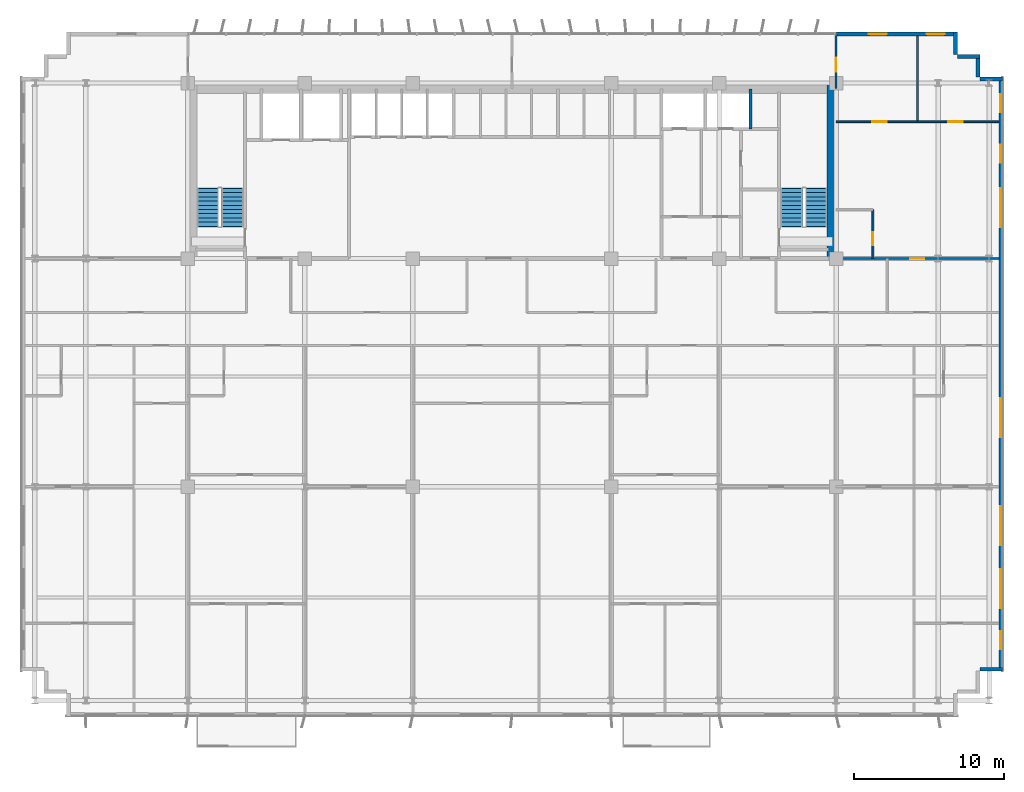
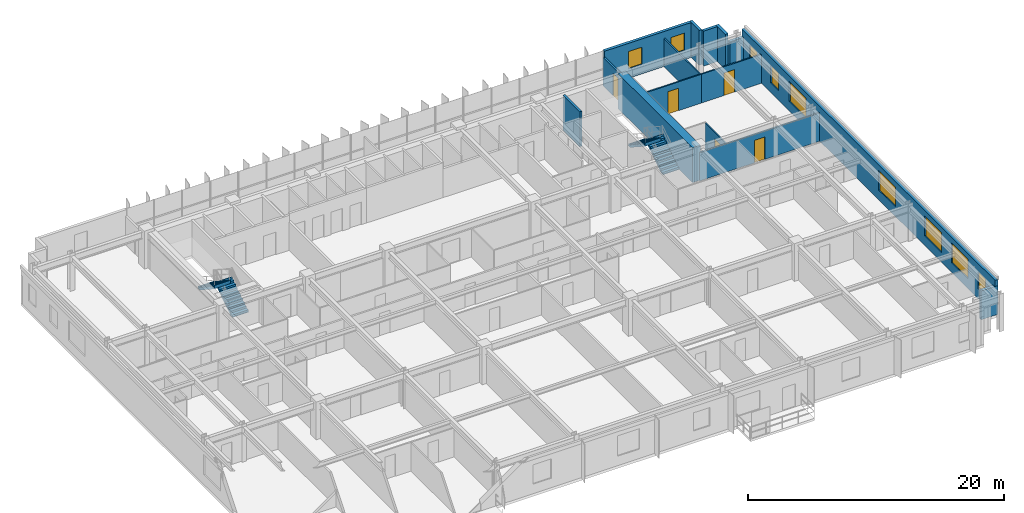
# One storey, part 19 of 22: 15 walls, 9 windows, 5 doors, 4 stair flights, 14 openings, 2 elements without a shape of their own.
"""IFC4 building model written with IfcOpenShell, lengths in metres."""

from ifc_helpers import new_model, si_unit, direction, frame, frame_2d, origin, place, context, subcontext, project, spatial, polyline, rectangle, outline, extrude, source, transform, mapped, material, layer, layer_set, type_object, element, fill, aggregate, save


model = new_model("IFC4")

# Units and contexts
model_context = context("Model", 3, precision=1e-05, world=origin(), true_north=direction((0.0, 1.0)))
body_context = subcontext(model_context, "Body", "Model", "MODEL_VIEW")
ifc_project = project(units=[si_unit("LENGTHUNIT", "METRE"), si_unit("AREAUNIT", "SQUARE_METRE"), si_unit("VOLUMEUNIT", "CUBIC_METRE"), si_unit("PLANEANGLEUNIT", "RADIAN"), si_unit("MASSUNIT", "GRAM", prefix="KILO")], contexts=[model_context])

# Site, building, storey
site_placement = place(None, origin())
site = spatial("IfcSite", under=ifc_project, at=site_placement, CompositionType="ELEMENT")
building_placement = place(site_placement, origin())
building = spatial("IfcBuilding", under=site, at=building_placement, Name="Trelvane Seafront Commons", CompositionType="ELEMENT")
storey_placement = place(building_placement, frame((0.0, 0.0, 48.699951171875)))
storey = spatial("IfcBuildingStorey", under=building, at=storey_placement, Name="L12", CompositionType="ELEMENT", Elevation=48.699951171875)

# Wall, openings, windows
ifc_material_1 = material(Name="Precast concrete C40/50", Category="concrete")
ifc_layer_1 = layer(ifc_material_1, 0.260009765625, Name="ARCH-WALL-EXT260")
ifc_layer_set_1 = layer_set([ifc_layer_1], Name="Precast concrete C40/50")
wall_type_1 = type_object("IfcWallType", Name="ARCH-WALL-EXT260", PredefinedType="SOLIDWALL", material=ifc_layer_set_1)
wall_1_placement = place(storey_placement, frame((58.800048828125, 48.3701171875, 0.0), z_axis=(0.0, 0.0, 1.0), x_axis=(1.0, 0.0, 0.0)))
wall_1 = element("IfcWall", 1, at=wall_1_placement, inside=storey, type_object=wall_type_1, Name="EW-L12-NE-0193", PredefinedType="SOLIDWALL", context=body_context, shape_type="SweptSolid", body=[
    extrude(rectangle(XDim=8.0, YDim=0.260009765625, at=frame_2d((4.0, 0.0))), origin(), (0.0, 0.0, 1.0), 3.340087890625),
])
opening_1_placement = place(wall_1_placement, frame((2.19189453125, 0.0, 0.89990234375)))
opening_1 = element("IfcOpeningElement", 2, at=opening_1_placement, cuts=wall_1, Name="Opening W05", PredefinedType="OPENING", context=body_context, shape_type="SweptSolid", body=[
    extrude(rectangle(XDim=1.199951171875, YDim=1.64990234375, at=frame_2d((0.60009765625, 0.824951171875))), frame((0.0, 0.139892578125, 0.0), z_axis=(0.0, -1.0, 0.0), x_axis=(1.0, 0.0, 0.0)), (0.0, 0.0, 1.0), 0.280029296875),
])
opening_2_placement = place(wall_1_placement, frame((6.032958984375, 0.0, 0.89990234375)))
opening_2 = element("IfcOpeningElement", 3, at=opening_2_placement, cuts=wall_1, Name="Opening W05", PredefinedType="OPENING", context=body_context, shape_type="SweptSolid", body=[
    extrude(rectangle(XDim=1.199951171875, YDim=1.64990234375, at=frame_2d((0.60009765625, 0.824951171875))), frame((0.0, 0.139892578125, 0.0), z_axis=(0.0, -1.0, 0.0), x_axis=(1.0, 0.0, 0.0)), (0.0, 0.0, 1.0), 0.280029296875),
])
ifc_material_2 = material(Name="Low-E coastal double glazing", Category="glass")
window_type_1 = type_object("IfcWindowType", Name="ARCH-WIN-W05", PartitioningType="SINGLE_PANEL", PredefinedType="WINDOW", material=ifc_material_2)
shared_shape_1 = source(origin(), body_context, "Body", "SweptSolid", [
    extrude(rectangle(XDim=1.199951171875, YDim=1.64990234375, at=frame_2d((0.60009765625, 0.824951171875))), frame((0.0, 0.030029296875, 0.0), z_axis=(0.0, -1.0, 0.0), x_axis=(1.0, 0.0, 0.0)), (0.0, 0.0, 1.0), 0.06005859375),
])
window_1_placement = place(opening_1_placement, origin())
window_1 = element("IfcWindow", 4, at=window_1_placement, inside=storey, type_object=window_type_1, Name="WIN-L12-00237", OverallHeight=1.64990234375, OverallWidth=1.199951171875, PartitioningType="SINGLE_PANEL", PredefinedType="WINDOW", context=body_context, shape_type="MappedRepresentation", body=[
    mapped(shared_shape_1, transform((0.0, 0.0, 0.0), x_axis=(1.0, 0.0, 0.0), y_axis=(0.0, 1.0, 0.0), z_axis=(0.0, 0.0, 1.0), scale=1.0)),
])
fill(opening_1, window_1)
window_2_placement = place(opening_2_placement, origin())
window_2 = element("IfcWindow", 5, at=window_2_placement, inside=storey, type_object=window_type_1, Name="WIN-L12-00238", OverallHeight=1.64990234375, OverallWidth=1.199951171875, PartitioningType="SINGLE_PANEL", PredefinedType="WINDOW", context=body_context, shape_type="MappedRepresentation", body=[
    mapped(shared_shape_1, transform((0.0, 0.0, 0.0), x_axis=(1.0, 0.0, 0.0), y_axis=(0.0, 1.0, 0.0), z_axis=(0.0, 0.0, 1.0), scale=1.0)),
])
fill(opening_2, window_2)

# Walls
for number, where, z_axis, x_axis, name in (
    (6, (66.77001953125, 48.5, 0.0), (0.0, 0.0, 1.0), (0.0, -1.0, 0.0), "EW-L12-00202"),
    (7, (66.89990234375, 46.8701171875, 0.0), (0.0, 0.0, 1.0), (1.0, 0.0, 0.0), "EW-L12-00203"),
    (8, (68.27001953125, 47.0, 0.0), (0.0, 0.0, 1.0), (0.0, -1.0, 0.0), "EW-L12-00204"),
):
    element("IfcWall", number, at=place(storey_placement, frame(where, z_axis=z_axis, x_axis=x_axis)), inside=storey, type_object=wall_type_1, Name=name, PredefinedType="SOLIDWALL", context=body_context, shape_type="SweptSolid", body=[
        extrude(rectangle(XDim=1.5, YDim=0.260009765625, at=frame_2d((0.75, 0.0))), origin(), (0.0, 0.0, 1.0), 3.340087890625),
    ])
wall_2_placement = place(storey_placement, frame((68.39990234375, 45.3701171875, 0.0), z_axis=(0.0, 0.0, 1.0), x_axis=(1.0, 0.0, 0.0)))
element("IfcWall", 9, at=wall_2_placement, inside=storey, type_object=wall_type_1, Name="EW-L12-00205", PredefinedType="SOLIDWALL", context=body_context, shape_type="SweptSolid", body=[
    extrude(rectangle(XDim=1.5, YDim=0.260009765625, at=frame_2d((0.75, 0.0))), origin(), (0.0, 0.0, 1.0), 2.68994140625),
])

# Wall, openings, windows
wall_3_placement = place(storey_placement, frame((69.77001953125, 45.5, 0.0), z_axis=(0.0, 0.0, 1.0), x_axis=(0.0, -1.0, 0.0)))
wall_3 = element("IfcWall", 10, at=wall_3_placement, inside=storey, type_object=wall_type_1, Name="EW-L12-00206", PredefinedType="SOLIDWALL", context=body_context, shape_type="SweptSolid", body=[
    extrude(rectangle(XDim=39.60009765625, YDim=0.260009765625, at=frame_2d((19.800048828125, 0.0))), origin(), (0.0, 0.0, 1.0), 3.340087890625),
])
opening_3_placement = place(wall_3_placement, frame((36.949951171875, 0.0, 0.919921875)))
opening_3 = element("IfcOpeningElement", 11, at=opening_3_placement, cuts=wall_3, Name="Opening W05", PredefinedType="OPENING", context=body_context, shape_type="SweptSolid", body=[
    extrude(rectangle(XDim=1.199951171875, YDim=1.64990234375, at=frame_2d((0.60009765625, 0.824951171875))), frame((0.0, 0.139892578125, 0.0), z_axis=(0.0, -1.0, 0.0), x_axis=(1.0, 0.0, 0.0)), (0.0, 0.0, 1.0), 0.280029296875),
])
opening_4_placement = place(wall_3_placement, frame((32.800048828125, 0.0, 0.919921875)))
opening_4 = element("IfcOpeningElement", 12, at=opening_4_placement, cuts=wall_3, Name="Opening W04", PredefinedType="OPENING", context=body_context, shape_type="SweptSolid", body=[
    extrude(rectangle(XDim=2.60009765625, YDim=1.89990234375, at=frame_2d((1.300048828125, 0.949951171875))), frame((0.0, 0.139892578125, 0.0), z_axis=(0.0, -1.0, 0.0), x_axis=(1.0, 0.0, 0.0)), (0.0, 0.0, 1.0), 0.280029296875),
])
opening_5_placement = place(wall_3_placement, frame((28.60009765625, 0.0, 0.919921875)))
opening_5 = element("IfcOpeningElement", 13, at=opening_5_placement, cuts=wall_3, Name="Opening W04", PredefinedType="OPENING", context=body_context, shape_type="SweptSolid", body=[
    extrude(rectangle(XDim=2.60009765625, YDim=1.89990234375, at=frame_2d((1.300048828125, 0.949951171875))), frame((0.0, 0.139892578125, 0.0), z_axis=(0.0, -1.0, 0.0), x_axis=(1.0, 0.0, 0.0)), (0.0, 0.0, 1.0), 0.280029296875),
])
opening_6_placement = place(wall_3_placement, frame((21.39990234375, 0.0, 0.919921875)))
opening_6 = element("IfcOpeningElement", 14, at=opening_6_placement, cuts=wall_3, Name="Opening W04", PredefinedType="OPENING", context=body_context, shape_type="SweptSolid", body=[
    extrude(rectangle(XDim=2.60009765625, YDim=1.89990234375, at=frame_2d((1.300048828125, 0.949951171875))), frame((0.0, 0.139892578125, 0.0), z_axis=(0.0, -1.0, 0.0), x_axis=(1.0, 0.0, 0.0)), (0.0, 0.0, 1.0), 0.280029296875),
])
opening_7_placement = place(wall_3_placement, frame((7.39990234375, 0.0, 0.919921875)))
opening_7 = element("IfcOpeningElement", 15, at=opening_7_placement, cuts=wall_3, Name="Opening W04", PredefinedType="OPENING", context=body_context, shape_type="SweptSolid", body=[
    extrude(rectangle(XDim=2.60009765625, YDim=1.89990234375, at=frame_2d((1.300048828125, 0.949951171875))), frame((0.0, 0.139892578125, 0.0), z_axis=(0.0, -1.0, 0.0), x_axis=(1.0, 0.0, 0.0)), (0.0, 0.0, 1.0), 0.280029296875),
])
opening_8_placement = place(wall_3_placement, frame((4.5, 0.0, 0.919921875)))
opening_8 = element("IfcOpeningElement", 16, at=opening_8_placement, cuts=wall_3, Name="Opening W05", PredefinedType="OPENING", context=body_context, shape_type="SweptSolid", body=[
    extrude(rectangle(XDim=1.199951171875, YDim=1.64990234375, at=frame_2d((0.60009765625, 0.824951171875))), frame((0.0, 0.139892578125, 0.0), z_axis=(0.0, -1.0, 0.0), x_axis=(1.0, 0.0, 0.0)), (0.0, 0.0, 1.0), 0.280029296875),
])
opening_9_placement = place(wall_3_placement, frame((1.14990234375, 0.0, 0.919921875)))
opening_9 = element("IfcOpeningElement", 17, at=opening_9_placement, cuts=wall_3, Name="Opening W05", PredefinedType="OPENING", context=body_context, shape_type="SweptSolid", body=[
    extrude(rectangle(XDim=1.199951171875, YDim=1.64990234375, at=frame_2d((0.60009765625, 0.824951171875))), frame((0.0, 0.139892578125, 0.0), z_axis=(0.0, -1.0, 0.0), x_axis=(1.0, 0.0, 0.0)), (0.0, 0.0, 1.0), 0.280029296875),
])
window_type_2 = type_object("IfcWindowType", Name="ARCH-WIN-W04", PartitioningType="SINGLE_PANEL", PredefinedType="WINDOW", material=ifc_material_2)
shared_shape_2 = source(origin(), body_context, "Body", "SweptSolid", [
    extrude(rectangle(XDim=2.60009765625, YDim=1.89990234375, at=frame_2d((1.300048828125, 0.949951171875))), frame((0.0, 0.030029296875, 0.0), z_axis=(0.0, -1.0, 0.0), x_axis=(1.0, 0.0, 0.0)), (0.0, 0.0, 1.0), 0.06005859375),
])
window_3_placement = place(opening_4_placement, origin())
window_3 = element("IfcWindow", 18, at=window_3_placement, inside=storey, type_object=window_type_2, Name="WIN-L12-EW-00246", OverallHeight=1.89990234375, OverallWidth=2.60009765625, PartitioningType="SINGLE_PANEL", PredefinedType="WINDOW", context=body_context, shape_type="MappedRepresentation", body=[
    mapped(shared_shape_2, transform((0.0, 0.0, 0.0), x_axis=(1.0, 0.0, 0.0), y_axis=(0.0, 1.0, 0.0), z_axis=(0.0, 0.0, 1.0), scale=1.0)),
])
fill(opening_4, window_3)
window_4_placement = place(opening_5_placement, origin())
window_4 = element("IfcWindow", 19, at=window_4_placement, inside=storey, type_object=window_type_2, Name="WIN-L12-EW-00247", OverallHeight=1.89990234375, OverallWidth=2.60009765625, PartitioningType="SINGLE_PANEL", PredefinedType="WINDOW", context=body_context, shape_type="MappedRepresentation", body=[
    mapped(shared_shape_2, transform((0.0, 0.0, 0.0), x_axis=(1.0, 0.0, 0.0), y_axis=(0.0, 1.0, 0.0), z_axis=(0.0, 0.0, 1.0), scale=1.0)),
])
fill(opening_5, window_4)
window_5_placement = place(opening_6_placement, origin())
window_5 = element("IfcWindow", 20, at=window_5_placement, inside=storey, type_object=window_type_2, Name="WIN-L12-EW-00248", OverallHeight=1.89990234375, OverallWidth=2.60009765625, PartitioningType="SINGLE_PANEL", PredefinedType="WINDOW", context=body_context, shape_type="MappedRepresentation", body=[
    mapped(shared_shape_2, transform((0.0, 0.0, 0.0), x_axis=(1.0, 0.0, 0.0), y_axis=(0.0, 1.0, 0.0), z_axis=(0.0, 0.0, 1.0), scale=1.0)),
])
fill(opening_6, window_5)
window_6_placement = place(opening_7_placement, origin())
window_6 = element("IfcWindow", 21, at=window_6_placement, inside=storey, type_object=window_type_2, Name="WIN-L12-EW-00249", OverallHeight=1.89990234375, OverallWidth=2.60009765625, PartitioningType="SINGLE_PANEL", PredefinedType="WINDOW", context=body_context, shape_type="MappedRepresentation", body=[
    mapped(shared_shape_2, transform((0.0, 0.0, 0.0), x_axis=(1.0, 0.0, 0.0), y_axis=(0.0, 1.0, 0.0), z_axis=(0.0, 0.0, 1.0), scale=1.0)),
])
fill(opening_7, window_6)
window_7_placement = place(opening_3_placement, origin())
window_7 = element("IfcWindow", 22, at=window_7_placement, inside=storey, type_object=window_type_1, Name="WIN-L12-EW-00245", OverallHeight=1.64990234375, OverallWidth=1.199951171875, PartitioningType="SINGLE_PANEL", PredefinedType="WINDOW", context=body_context, shape_type="MappedRepresentation", body=[
    mapped(shared_shape_1, transform((0.0, 0.0, 0.0), x_axis=(1.0, 0.0, 0.0), y_axis=(0.0, 1.0, 0.0), z_axis=(0.0, 0.0, 1.0), scale=1.0)),
])
fill(opening_3, window_7)
window_8_placement = place(opening_8_placement, origin())
window_8 = element("IfcWindow", 23, at=window_8_placement, inside=storey, type_object=window_type_1, Name="WIN-L12-EW-00250", OverallHeight=1.64990234375, OverallWidth=1.199951171875, PartitioningType="SINGLE_PANEL", PredefinedType="WINDOW", context=body_context, shape_type="MappedRepresentation", body=[
    mapped(shared_shape_1, transform((0.0, 0.0, 0.0), x_axis=(1.0, 0.0, 0.0), y_axis=(0.0, 1.0, 0.0), z_axis=(0.0, 0.0, 1.0), scale=1.0)),
])
fill(opening_8, window_8)
window_9_placement = place(opening_9_placement, origin())
window_9 = element("IfcWindow", 24, at=window_9_placement, inside=storey, type_object=window_type_1, Name="WIN-L12-EW-00251", OverallHeight=1.64990234375, OverallWidth=1.199951171875, PartitioningType="SINGLE_PANEL", PredefinedType="WINDOW", context=body_context, shape_type="MappedRepresentation", body=[
    mapped(shared_shape_1, transform((0.0, 0.0, 0.0), x_axis=(1.0, 0.0, 0.0), y_axis=(0.0, 1.0, 0.0), z_axis=(0.0, 0.0, 1.0), scale=1.0)),
])
fill(opening_9, window_9)

# Wall
wall_4_placement = place(storey_placement, frame((69.89990234375, 6.030029296875, 0.0), z_axis=(0.0, 0.0, 1.0), x_axis=(-1.0, 0.0, 0.0)))
element("IfcWall", 25, at=wall_4_placement, inside=storey, type_object=wall_type_1, Name="EW-L12-00207", PredefinedType="SOLIDWALL", context=body_context, shape_type="SweptSolid", body=[
    extrude(rectangle(XDim=1.5, YDim=0.260009765625, at=frame_2d((0.75, 0.0))), origin(), (0.0, 0.0, 1.0), 2.751953125),
])

# Wall, opening, door
ifc_material_3 = material(Name="Gypsum Drywall Acoustic Partition")
ifc_layer_2 = layer(ifc_material_3, 0.1201171875, Name="ARCH-WALL-PART120")
ifc_layer_set_2 = layer_set([ifc_layer_2], Name="Gypsum Drywall Acoustic Partition")
wall_type_2 = type_object("IfcWallType", Name="ARCH-WALL-PART120", PredefinedType="PARTITIONING", material=ifc_layer_set_2)
wall_5_placement = place(storey_placement, frame((61.25, 33.39990234375, 0.0), z_axis=(0.0, 0.0, 1.0), x_axis=(0.0, 1.0, 0.0)))
wall_5 = element("IfcWall", 26, at=wall_5_placement, inside=storey, type_object=wall_type_2, Name="W-L12-NE-BE-050", PredefinedType="PARTITIONING", context=body_context, shape_type="SweptSolid", body=[
    extrude(rectangle(XDim=3.25, YDim=0.1201171875, at=frame_2d((1.625, 0.0))), origin(), (0.0, 0.0, 1.0), 2.68994140625),
])
opening_10_placement = place(wall_5_placement, frame((0.89990234375, 0.0, 0.0)))
opening_10 = element("IfcOpeningElement", 27, at=opening_10_placement, cuts=wall_5, Name="Opening D-L12-24", PredefinedType="OPENING", context=body_context, shape_type="SweptSolid", body=[
    extrude(rectangle(XDim=0.85009765625, YDim=2.10009765625, at=frame_2d((0.425048828125, 1.050048828125))), frame((0.0, 0.070068359375, 0.0), z_axis=(0.0, -1.0, 0.0), x_axis=(1.0, 0.0, 0.0)), (0.0, 0.0, 1.0), 0.14013671875),
])
ifc_material_4 = material(Name="Acoustic timber door leaf", Category="wood")
door_type_1 = type_object("IfcDoorType", Name="ARCH-DR-INT850", OperationType="NOTDEFINED", PredefinedType="DOOR", material=ifc_material_4)
shared_shape_3 = source(origin(), body_context, "Body", "SweptSolid", [
    extrude(rectangle(XDim=0.85009765625, YDim=2.10009765625, at=frame_2d((0.425048828125, 1.050048828125))), frame((0.0, 0.02490234375, 0.0), z_axis=(0.0, -1.0, 0.0), x_axis=(1.0, 0.0, 0.0)), (0.0, 0.0, 1.0), 0.050048828125),
])
door_1_placement = place(opening_10_placement, origin())
door_1 = element("IfcDoor", 28, at=door_1_placement, inside=storey, type_object=door_type_1, Name="L12 Door 24", OperationType="SINGLE_SWING_RIGHT", OverallHeight=2.10009765625, OverallWidth=0.85009765625, PredefinedType="DOOR", context=body_context, shape_type="MappedRepresentation", body=[
    mapped(shared_shape_3, transform((0.0, 0.0, 0.0), x_axis=(1.0, 0.0, 0.0), y_axis=(0.0, 1.0, 0.0), z_axis=(0.0, 0.0, 1.0), scale=1.0)),
])
fill(opening_10, door_1)

wall_6_placement = place(storey_placement, frame((58.800048828125, 42.52001953125, 0.0), z_axis=(0.0, 0.0, 1.0), x_axis=(1.0, 0.0, 0.0)))
wall_6 = element("IfcWall", 29, at=wall_6_placement, inside=storey, type_object=wall_type_2, Name="W-L12-NE-KB1-052", PredefinedType="PARTITIONING", context=body_context, shape_type="SweptSolid", body=[
    extrude(rectangle(XDim=5.425048828125, YDim=0.1201171875, at=frame_2d((2.71240234375, 0.0))), origin(), (0.0, 0.0, 1.0), 2.751953125),
])
opening_11_placement = place(wall_6_placement, frame((2.423095703125, 0.0, 0.0)))
opening_11 = element("IfcOpeningElement", 30, at=opening_11_placement, cuts=wall_6, Name="Opening D-L12-25", PredefinedType="OPENING", context=body_context, shape_type="SweptSolid", body=[
    extrude(rectangle(XDim=0.949951171875, YDim=2.14990234375, at=frame_2d((0.47509765625, 1.074951171875))), frame((0.0, 0.070068359375, 0.0), z_axis=(0.0, -1.0, 0.0), x_axis=(1.0, 0.0, 0.0)), (0.0, 0.0, 1.0), 0.14013671875),
])
door_type_2 = type_object("IfcDoorType", Name="ARCH-DR-INT950", OperationType="NOTDEFINED", PredefinedType="DOOR", material=ifc_material_4)
shared_shape_4 = source(origin(), body_context, "Body", "SweptSolid", [
    extrude(rectangle(XDim=0.949951171875, YDim=2.14990234375, at=frame_2d((0.47509765625, 1.074951171875))), frame((0.0, 0.02490234375, 0.0), z_axis=(0.0, -1.0, 0.0), x_axis=(1.0, 0.0, 0.0)), (0.0, 0.0, 1.0), 0.050048828125),
])
door_2_placement = place(opening_11_placement, origin())
door_2 = element("IfcDoor", 31, at=door_2_placement, inside=storey, type_object=door_type_2, Name="L12 Door 25", OperationType="SINGLE_SWING_LEFT", OverallHeight=2.14990234375, OverallWidth=0.949951171875, PredefinedType="DOOR", context=body_context, shape_type="MappedRepresentation", body=[
    mapped(shared_shape_4, transform((0.0, 0.0, 0.0), x_axis=(1.0, 0.0, 0.0), y_axis=(0.0, 1.0, 0.0), z_axis=(0.0, 0.0, 1.0), scale=1.0)),
])
fill(opening_11, door_2)

wall_7_placement = place(storey_placement, frame((64.22509765625, 42.52001953125, 0.0), z_axis=(0.0, 0.0, 1.0), x_axis=(1.0, 0.0, 0.0)))
wall_7 = element("IfcWall", 32, at=wall_7_placement, inside=storey, type_object=wall_type_2, Name="W-L12-NE-KB2-053", PredefinedType="PARTITIONING", context=body_context, shape_type="SweptSolid", body=[
    extrude(rectangle(XDim=5.4248046875, YDim=0.1201171875, at=frame_2d((2.71240234375, 0.0))), origin(), (0.0, 0.0, 1.0), 2.751953125),
])
opening_12_placement = place(wall_7_placement, frame((2.052001953125, 0.0, 0.0)))
opening_12 = element("IfcOpeningElement", 33, at=opening_12_placement, cuts=wall_7, Name="Opening D-L12-26", PredefinedType="OPENING", context=body_context, shape_type="SweptSolid", body=[
    extrude(rectangle(XDim=0.949951171875, YDim=2.14990234375, at=frame_2d((0.47509765625, 1.074951171875))), frame((0.0, 0.070068359375, 0.0), z_axis=(0.0, -1.0, 0.0), x_axis=(1.0, 0.0, 0.0)), (0.0, 0.0, 1.0), 0.14013671875),
])
door_3_placement = place(opening_12_placement, origin())
door_3 = element("IfcDoor", 34, at=door_3_placement, inside=storey, type_object=door_type_2, Name="L12 Door 26", OperationType="SINGLE_SWING_RIGHT", OverallHeight=2.14990234375, OverallWidth=0.949951171875, PredefinedType="DOOR", context=body_context, shape_type="MappedRepresentation", body=[
    mapped(shared_shape_4, transform((0.0, 0.0, 0.0), x_axis=(1.0, 0.0, 0.0), y_axis=(0.0, 1.0, 0.0), z_axis=(0.0, 0.0, 1.0), scale=1.0)),
])
fill(opening_12, door_3)

# Wall
wall_8_placement = place(storey_placement, frame((64.22509765625, 42.52001953125, 0.0), z_axis=(0.0, 0.0, 1.0), x_axis=(0.0, 1.0, 0.0)))
element("IfcWall", 35, at=wall_8_placement, inside=storey, type_object=wall_type_2, Name="W-L12-NE-KBDV-054", PredefinedType="PARTITIONING", context=body_context, shape_type="SweptSolid", body=[
    extrude(rectangle(XDim=5.719970703125, YDim=0.1201171875, at=frame_2d((2.85986328125, 0.0))), origin(), (0.0, 0.0, 1.0), 2.68994140625),
])

# Wall, opening, door
ifc_layer_3 = layer(ifc_material_3, 0.14990234375, Name="ARCH-WALL-PART150")
ifc_layer_set_3 = layer_set([ifc_layer_3], Name="Gypsum Drywall Acoustic Partition")
wall_type_3 = type_object("IfcWallType", Name="ARCH-WALL-PART150", PredefinedType="PARTITIONING", material=ifc_layer_set_3)
wall_9_placement = place(storey_placement, frame((58.800048828125, 33.39990234375, 0.0), z_axis=(0.0, 0.0, 1.0), x_axis=(1.0, 0.0, 0.0)))
wall_9 = element("IfcWall", 36, at=wall_9_placement, inside=storey, type_object=wall_type_3, Name="W-L12-NE-ENT-055", PredefinedType="PARTITIONING", context=body_context, shape_type="SweptSolid", body=[
    extrude(rectangle(XDim=10.849853515625, YDim=0.14990234375, at=frame_2d((5.4248046875, 0.0))), origin(), (0.0, 0.0, 1.0), 2.68994140625),
])
opening_13_placement = place(wall_9_placement, frame((4.93310546875, 0.0, 0.0)))
opening_13 = element("IfcOpeningElement", 37, at=opening_13_placement, cuts=wall_9, Name="Opening FD-L12-27", PredefinedType="OPENING", context=body_context, shape_type="SweptSolid", body=[
    extrude(rectangle(XDim=0.949951171875, YDim=2.14990234375, at=frame_2d((0.47509765625, 1.074951171875))), frame((0.0, 0.0849609375, 0.0), z_axis=(0.0, -1.0, 0.0), x_axis=(1.0, 0.0, 0.0)), (0.0, 0.0, 1.0), 0.169921875),
])
ifc_material_5 = material(Name="Powder-coated aluminium frame", Category="aluminium")
door_type_3 = type_object("IfcDoorType", Name="ARCH-DR-FD60-950", OperationType="NOTDEFINED", PredefinedType="DOOR", material=ifc_material_5)
door_4_placement = place(opening_13_placement, origin())
door_4 = element("IfcDoor", 38, at=door_4_placement, inside=storey, type_object=door_type_3, Name="L12 NE Flat Entrance Door", OperationType="SINGLE_SWING_LEFT", OverallHeight=2.14990234375, OverallWidth=0.949951171875, PredefinedType="DOOR", context=body_context, shape_type="MappedRepresentation", body=[
    mapped(shared_shape_4, transform((0.0, 0.0, 0.0), x_axis=(1.0, 0.0, 0.0), y_axis=(0.0, 1.0, 0.0), z_axis=(0.0, 0.0, 1.0), scale=1.0)),
])
fill(opening_13, door_4)

wall_10_placement = place(storey_placement, frame((58.800048828125, 44.75, 0.0), z_axis=(0.0, 0.0, 1.0), x_axis=(0.0, 1.0, 0.0)))
wall_10 = element("IfcWall", 39, at=wall_10_placement, inside=storey, type_object=wall_type_3, Name="W-L12-N-LINK-E-058", PredefinedType="PARTITIONING", context=body_context, shape_type="SweptSolid", body=[
    extrude(rectangle(XDim=3.610107421875, YDim=0.14990234375, at=frame_2d((1.80517578125, 0.0))), origin(), (0.0, 0.0, 1.0), 2.751953125),
])
opening_14_placement = place(wall_10_placement, frame((1.10009765625, 0.0, 0.0)))
opening_14 = element("IfcOpeningElement", 40, at=opening_14_placement, cuts=wall_10, Name="Opening FD-L12-30", PredefinedType="OPENING", context=body_context, shape_type="SweptSolid", body=[
    extrude(rectangle(XDim=0.949951171875, YDim=2.14990234375, at=frame_2d((0.47509765625, 1.074951171875))), frame((0.0, 0.0849609375, 0.0), z_axis=(0.0, -1.0, 0.0), x_axis=(1.0, 0.0, 0.0)), (0.0, 0.0, 1.0), 0.169921875),
])
door_5_placement = place(opening_14_placement, origin())
door_5 = element("IfcDoor", 41, at=door_5_placement, inside=storey, type_object=door_type_3, Name="L12 Door 30", OperationType="SINGLE_SWING_RIGHT", OverallHeight=2.14990234375, OverallWidth=0.949951171875, PredefinedType="DOOR", context=body_context, shape_type="MappedRepresentation", body=[
    mapped(shared_shape_4, transform((0.0, 0.0, 0.0), x_axis=(1.0, 0.0, 0.0), y_axis=(0.0, 1.0, 0.0), z_axis=(0.0, 0.0, 1.0), scale=1.0)),
])
fill(opening_14, door_5)

# Walls
ifc_material_6 = material(Name="Concrete C40/50", Category="concrete")
ifc_layer_4 = layer(ifc_material_6, 0.199951171875, Name="ARCH-WALL-SHAFT200")
ifc_layer_set_4 = layer_set([ifc_layer_4], Name="Concrete C40/50")
wall_type_4 = type_object("IfcWallType", Name="ARCH-WALL-SHAFT200", PredefinedType="SOLIDWALL", material=ifc_layer_set_4)
wall_11_placement = place(storey_placement, frame((53.10009765625, 42.050048828125, 0.0), z_axis=(0.0, 0.0, 1.0), x_axis=(0.0, 1.0, 0.0)))
element("IfcWall", 42, at=wall_11_placement, inside=storey, type_object=wall_type_4, Name="W-L12-RSR-E-032", PredefinedType="SOLIDWALL", context=body_context, shape_type="SweptSolid", body=[
    extrude(rectangle(XDim=2.64990234375, YDim=0.199951171875, at=frame_2d((1.324951171875, 0.0))), origin(), (0.0, 0.0, 1.0), 3.340087890625),
])
ifc_material_7 = material(Name="Concrete C60/75", Category="concrete")
ifc_layer_5 = layer(ifc_material_7, 0.699951171875, Name="STR-WALL-CORE700")
ifc_layer_set_5 = layer_set([ifc_layer_5], Name="Concrete C60/75")
wall_type_5 = type_object("IfcWallType", Name="STR-WALL-CORE700", PredefinedType="SHEAR", material=ifc_layer_set_5)
wall_12_placement = place(storey_placement, frame((58.550048828125, 33.39990234375, 0.0), z_axis=(0.0, 0.0, 1.0), x_axis=(0.0, 1.0, 0.0)))
element("IfcWall", 43, at=wall_12_placement, inside=storey, type_object=wall_type_5, Name="W-L12-CE-END-003", PredefinedType="SHEAR", context=body_context, shape_type="SweptSolid", body=[
    extrude(rectangle(XDim=11.7001953125, YDim=0.699951171875, at=frame_2d((5.85009765625, 0.0))), origin(), (0.0, 0.0, 1.0), 3.340087890625),
])

# Stair, stair flights
stair_type_1 = type_object("IfcStairType", Name="ARCH-STR-ST-1-R20-180", PredefinedType="HALF_TURN_STAIR", material=ifc_material_6)
stair_1_placement = place(storey_placement, origin())
stair_1 = element("IfcStair", 44, at=stair_1_placement, inside=storey, type_object=stair_type_1, Name="L12 West Protected Firefighting Exit Stair ST-1", PredefinedType="HALF_TURN_STAIR")
stair_flight_type_1 = type_object("IfcStairFlightType", Name="ARCH-FLG-ST-1-R20-180", PredefinedType="STRAIGHT", material=ifc_material_6)
shared_shape_5 = source(origin(), body_context, "Body", "SweptSolid", [
    extrude(outline(polyline([(-0.050048828125, -0.02001953125), (-0.050048828125, 0.0), (0.0, 0.0), (0.0, 0.179931640625), (0.280029296875, 0.179931640625), (0.280029296875, 0.360107421875), (0.56005859375, 0.360107421875), (0.56005859375, 0.5400390625), (0.840087890625, 0.5400390625), (0.840087890625, 0.719970703125), (1.1201171875, 0.719970703125), (1.1201171875, 0.89990234375), (1.39990234375, 0.89990234375), (1.39990234375, 1.080078125), (1.679931640625, 1.080078125), (1.679931640625, 1.260009765625), (1.9599609375, 1.260009765625), (1.9599609375, 1.43994140625), (2.239990234375, 1.43994140625), (2.239990234375, 1.6201171875), (2.52001953125, 1.6201171875), (2.52001953125, 1.800048828125), (2.570068359375, 1.800048828125), (2.570068359375, 1.650146484375), (2.52001953125, 1.44189453125), (0.277099609375, -0.02001953125), (-0.050048828125, -0.02001953125)])), frame((0.0, 0.72509765625, 0.0), z_axis=(0.0, -1.0, 0.0), x_axis=(1.0, 0.0, 0.0)), (0.0, 0.0, 1.0), 1.449951171875),
])
stair_flight_1_placement = place(storey_placement, frame((18.574951171875, 35.550048828125, 0.0), z_axis=(0.0, 0.0, 1.0), x_axis=(0.0, 1.0, 0.0)))
stair_flight_1 = element("IfcStairFlight", 45, at=stair_flight_1_placement, type_object=stair_flight_type_1, Name="ST-1 flight 1", NumberOfRisers=10, NumberOfTreads=9, PredefinedType="STRAIGHT", RiserHeight=0.18, TreadLength=0.28, context=body_context, shape_type="MappedRepresentation", body=[
    mapped(shared_shape_5, transform((0.0, 0.0, 0.0), x_axis=(1.0, 0.0, 0.0), y_axis=(0.0, 1.0, 0.0), z_axis=(0.0, 0.0, 1.0), scale=1.0)),
])
stair_flight_2_placement = place(storey_placement, frame((16.925048828125, 38.070068359375, 1.800048828125), z_axis=(0.0, 0.0, 1.0), x_axis=(0.0, -1.0, 0.0)))
stair_flight_2 = element("IfcStairFlight", 46, at=stair_flight_2_placement, type_object=stair_flight_type_1, Name="ST-1 flight 2", NumberOfRisers=10, NumberOfTreads=9, PredefinedType="STRAIGHT", RiserHeight=0.18, TreadLength=0.28, context=body_context, shape_type="MappedRepresentation", body=[
    mapped(shared_shape_5, transform((0.0, 0.0, 0.0), x_axis=(1.0, 0.0, 0.0), y_axis=(0.0, 1.0, 0.0), z_axis=(0.0, 0.0, 1.0), scale=1.0)),
])
aggregate(stair_1, [stair_flight_1, stair_flight_2])

stair_type_2 = type_object("IfcStairType", Name="ARCH-STR-ST-2-R20-180", PredefinedType="HALF_TURN_STAIR", material=ifc_material_6)
stair_2_placement = place(storey_placement, origin())
stair_2 = element("IfcStair", 47, at=stair_2_placement, inside=storey, type_object=stair_type_2, Name="L12 East Protected Firefighting Exit Stair ST-2", PredefinedType="HALF_TURN_STAIR")
stair_flight_type_2 = type_object("IfcStairFlightType", Name="ARCH-FLG-ST-2-R20-180", PredefinedType="STRAIGHT", material=ifc_material_6)
stair_flight_3_placement = place(storey_placement, frame((57.47509765625, 35.550048828125, 0.0), z_axis=(0.0, 0.0, 1.0), x_axis=(0.0, 1.0, 0.0)))
stair_flight_3 = element("IfcStairFlight", 48, at=stair_flight_3_placement, type_object=stair_flight_type_2, Name="ST-2 flight 1", NumberOfRisers=10, NumberOfTreads=9, PredefinedType="STRAIGHT", RiserHeight=0.18, TreadLength=0.28, context=body_context, shape_type="MappedRepresentation", body=[
    mapped(shared_shape_5, transform((0.0, 0.0, 0.0), x_axis=(1.0, 0.0, 0.0), y_axis=(0.0, 1.0, 0.0), z_axis=(0.0, 0.0, 1.0), scale=1.0)),
])
stair_flight_4_placement = place(storey_placement, frame((55.824951171875, 38.070068359375, 1.800048828125), z_axis=(0.0, 0.0, 1.0), x_axis=(0.0, -1.0, 0.0)))
stair_flight_4 = element("IfcStairFlight", 49, at=stair_flight_4_placement, type_object=stair_flight_type_2, Name="ST-2 flight 2", NumberOfRisers=10, NumberOfTreads=9, PredefinedType="STRAIGHT", RiserHeight=0.18, TreadLength=0.28, context=body_context, shape_type="MappedRepresentation", body=[
    mapped(shared_shape_5, transform((0.0, 0.0, 0.0), x_axis=(1.0, 0.0, 0.0), y_axis=(0.0, 1.0, 0.0), z_axis=(0.0, 0.0, 1.0), scale=1.0)),
])
aggregate(stair_2, [stair_flight_3, stair_flight_4])

save(model, "model.ifc")
